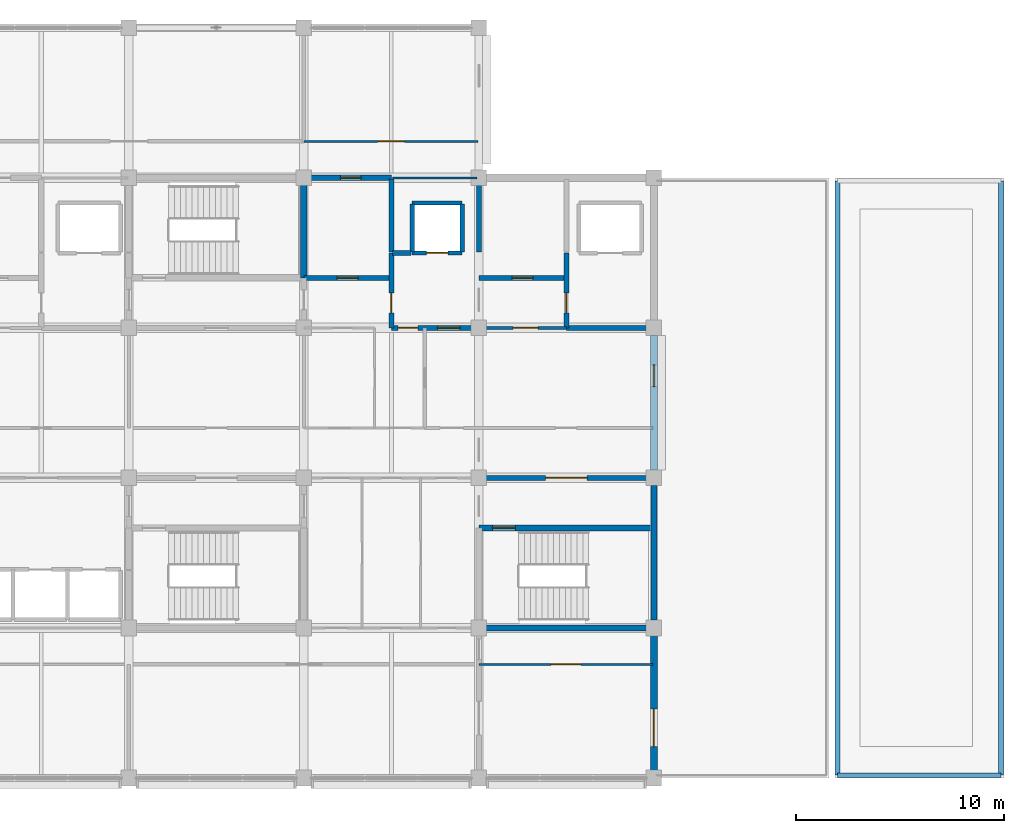
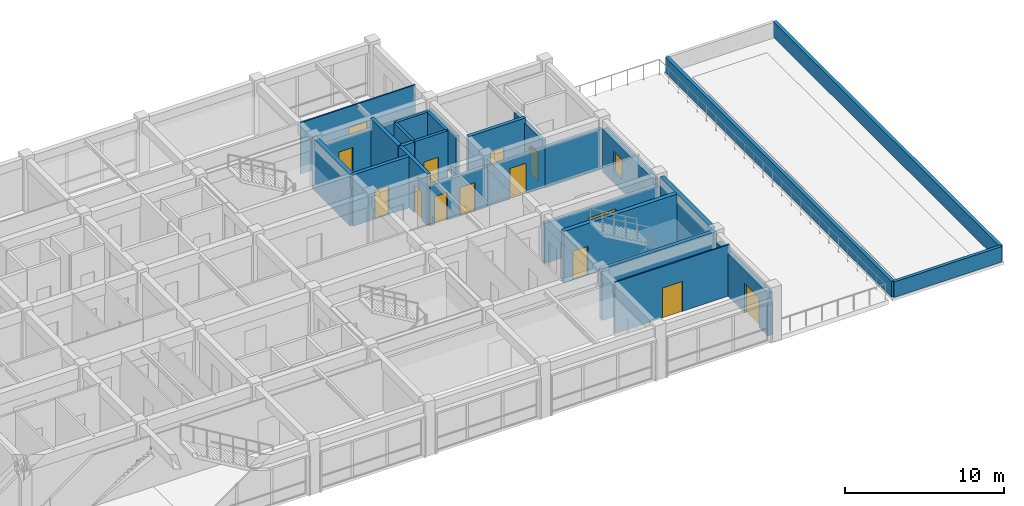
# One storey, part 22 of 27: 28 walls, 14 doors, 1 window, 15 openings.
"""IFC4 building model written with IfcOpenShell, lengths in metres."""

from ifc_helpers import new_model, si_unit, direction, frame, frame_2d, origin, place, context, subcontext, project, spatial, rectangle, extrude, material, layer, layer_set, type_object, element, fill, save


model = new_model("IFC4")

# Units and contexts
model_context = context("Model", 3, precision=1e-05, world=origin(), true_north=direction((0.0, 1.0)))
body_context = subcontext(model_context, "Body", "Model", "MODEL_VIEW")
ifc_project = project(units=[si_unit("LENGTHUNIT", "METRE"), si_unit("AREAUNIT", "SQUARE_METRE"), si_unit("VOLUMEUNIT", "CUBIC_METRE"), si_unit("PLANEANGLEUNIT", "RADIAN"), si_unit("MASSUNIT", "GRAM", prefix="KILO")], contexts=[model_context])

# Site, building, storey
site_placement = place(None, origin())
site = spatial("IfcSite", under=ifc_project, at=site_placement, CompositionType="ELEMENT")
building_placement = place(site_placement, origin())
building = spatial("IfcBuilding", under=site, at=building_placement, Name="Chengyuan Square Courthouse", CompositionType="ELEMENT")
storey_placement = place(building_placement, frame((0.0, 0.0, 35.10009765625)))
storey = spatial("IfcBuildingStorey", under=building, at=storey_placement, Name="L08", CompositionType="ELEMENT", Elevation=35.10009765625)

# Wall, opening, door
ifc_material_1 = material(Name="Concrete C40", Category="concrete")
ifc_layer_1 = layer(ifc_material_1, 0.35009765625)
ifc_layer_set_1 = layer_set([ifc_layer_1], Name="Concrete C40")
wall_type_1 = type_object("IfcWallType", Name="WL-EW2", PredefinedType="STANDARD", material=ifc_layer_set_1)
wall_1_placement = place(storey_placement, frame((126.0, 79.570068359375, 0.0), z_axis=(0.0, 0.0, 1.0), x_axis=(0.0, 1.0, 0.0)))
wall_1 = element("IfcWall", 1, at=wall_1_placement, inside=storey, type_object=wall_type_1, Name="Exterior Wall WL-L08-E407", PredefinedType="STANDARD", context=body_context, shape_type="SweptSolid", body=[
    extrude(rectangle(XDim=6.4599609375, YDim=0.35009765625, at=frame_2d((3.22998046875, 0.0))), origin(), (0.0, 0.0, 1.0), 3.2998046875),
])
opening_1_placement = place(wall_1_placement, frame((1.1298828125, 0.0, 0.0)))
opening_1 = element("IfcOpeningElement", 2, at=opening_1_placement, cuts=wall_1, Name="Opening DR-007", PredefinedType="OPENING", context=body_context, shape_type="SweptSolid", body=[
    extrude(rectangle(XDim=1.800048828125, YDim=2.25, at=frame_2d((0.89990234375, 1.125))), frame((0.0, 0.18701171875, 0.0), z_axis=(0.0, -1.0, 0.0), x_axis=(1.0, 0.0, 0.0)), (0.0, 0.0, 1.0), 0.3740234375),
])
ifc_material_2 = material(Name="Thermally Broken Aluminium Terrace Door", Category="aluminium")
door_type_1 = type_object("IfcDoorType", Name="DT-02", OperationType="DOUBLE_DOOR_SINGLE_SWING", PredefinedType="DOOR", material=ifc_material_2)
door_1_placement = place(opening_1_placement, frame((1.800048828125, 0.0, 0.0), z_axis=(0.0, 0.0, 1.0), x_axis=(-1.0, 0.0, 0.0)))
door_1 = element("IfcDoor", 3, at=door_1_placement, inside=storey, type_object=door_type_1, Name="Planted Terrace Access Door DR-007", OperationType="DOUBLE_DOOR_SINGLE_SWING", OverallHeight=2.25, OverallWidth=1.800048828125, PredefinedType="DOOR", context=body_context, shape_type="SweptSolid", body=[
    extrude(rectangle(XDim=1.800048828125, YDim=2.25, at=frame_2d((0.89990234375, 1.125))), frame((0.0, 0.02490234375, 0.0), z_axis=(0.0, -1.0, 0.0), x_axis=(1.0, 0.0, 0.0)), (0.0, 0.0, 1.0), 0.050048828125),
])
fill(opening_1, door_1)

# Wall, opening, window
wall_2_placement = place(storey_placement, frame((126.0, 93.969970703125, 0.0), z_axis=(0.0, 0.0, 1.0), x_axis=(0.0, 1.0, 0.0)))
wall_2 = element("IfcWall", 4, at=wall_2_placement, inside=storey, type_object=wall_type_1, Name="Exterior Wall WL-L08-E409", PredefinedType="STANDARD", context=body_context, shape_type="SweptSolid", body=[
    extrude(rectangle(XDim=6.4599609375, YDim=0.35009765625, at=frame_2d((3.22998046875, 0.0))), origin(), (0.0, 0.0, 1.0), 3.2998046875),
])
opening_2_placement = place(wall_2_placement, frame((4.0048828125, 0.0, 0.85009765625)))
opening_2 = element("IfcOpeningElement", 5, at=opening_2_placement, cuts=wall_2, Name="Opening WN-159", PredefinedType="OPENING", context=body_context, shape_type="SweptSolid", body=[
    extrude(rectangle(XDim=1.050048828125, YDim=1.56005859375, at=frame_2d((0.52490234375, 0.780029296875))), frame((0.0, 0.18701171875, 0.0), z_axis=(0.0, -1.0, 0.0), x_axis=(1.0, 0.0, 0.0)), (0.0, 0.0, 1.0), 0.3740234375),
])
ifc_material_3 = material(Name="Thermally Broken Aluminium Triple Low-E Window", Category="aluminium")
window_type = type_object("IfcWindowType", Name="WT-09", PartitioningType="SINGLE_PANEL", PredefinedType="WINDOW", material=ifc_material_3)
window_placement = place(opening_2_placement, origin())
window = element("IfcWindow", 6, at=window_placement, inside=storey, type_object=window_type, Name="Facade Window WN-159", OverallHeight=1.56005859375, OverallWidth=1.050048828125, PartitioningType="SINGLE_PANEL", PredefinedType="WINDOW", context=body_context, shape_type="SweptSolid", body=[
    extrude(rectangle(XDim=1.050048828125, YDim=1.56005859375, at=frame_2d((0.52490234375, 0.780029296875))), frame((0.0, 0.030029296875, 0.0), z_axis=(0.0, -1.0, 0.0), x_axis=(1.0, 0.0, 0.0)), (0.0, 0.0, 1.0), 0.06005859375),
])
fill(opening_2, window)

# Wall, opening, door
ifc_layer_2 = layer(ifc_material_1, 0.25)
ifc_layer_set_2 = layer_set([ifc_layer_2], Name="Concrete C40")
wall_type_2 = type_object("IfcWallType", Name="WL-FW1", PredefinedType="STANDARD", material=ifc_layer_set_2)
wall_3_placement = place(storey_placement, frame((117.60009765625, 93.60009765625, 0.0), z_axis=(0.0, 0.0, 1.0), x_axis=(1.0, 0.0, 0.0)))
wall_3 = element("IfcWall", 7, at=wall_3_placement, inside=storey, type_object=wall_type_2, Name="Interior Wall WL-L08-I2907", PredefinedType="STANDARD", context=body_context, shape_type="SweptSolid", body=[
    extrude(rectangle(XDim=8.35986328125, YDim=0.25, at=frame_2d((4.179931640625, 0.0))), origin(), (0.0, 0.0, 1.0), 3.099853515625),
])
opening_3_placement = place(wall_3_placement, frame((3.199951171875, 0.0, 0.0)))
opening_3 = element("IfcOpeningElement", 8, at=opening_3_placement, cuts=wall_3, Name="Opening DR-2515", PredefinedType="OPENING", context=body_context, shape_type="SweptSolid", body=[
    extrude(rectangle(XDim=2.0, YDim=2.39990234375, at=frame_2d((1.0, 1.199951171875))), frame((0.0, 0.136962890625, 0.0), z_axis=(0.0, -1.0, 0.0), x_axis=(1.0, 0.0, 0.0)), (0.0, 0.0, 1.0), 0.27392578125),
])
ifc_material_4 = material(Name="Steel Q235B Glazed Fire Door", Category="steel")
door_type_2 = type_object("IfcDoorType", Name="DT-20", OperationType="DOUBLE_DOOR_SINGLE_SWING", PredefinedType="DOOR", material=ifc_material_4)
door_2_placement = place(opening_3_placement, frame((2.0, 0.0, 0.0), z_axis=(0.0, 0.0, 1.0), x_axis=(-1.0, 0.0, 0.0)))
door_2 = element("IfcDoor", 9, at=door_2_placement, inside=storey, type_object=door_type_2, Name="Interior Door DR-2515", OperationType="DOUBLE_DOOR_SINGLE_SWING", OverallHeight=2.39990234375, OverallWidth=2.0, PredefinedType="DOOR", context=body_context, shape_type="SweptSolid", body=[
    extrude(rectangle(XDim=2.0, YDim=2.39990234375, at=frame_2d((1.0, 1.199951171875))), frame((0.0, 0.02490234375, 0.0), z_axis=(0.0, -1.0, 0.0), x_axis=(1.0, 0.0, 0.0)), (0.0, 0.0, 1.0), 0.050048828125),
])
fill(opening_3, door_2)

# Wall, openings, doors
wall_4_placement = place(storey_placement, frame((113.39990234375, 100.800048828125, 0.0), z_axis=(0.0, 0.0, 1.0), x_axis=(1.0, 0.0, 0.0)))
wall_4 = element("IfcWall", 10, at=wall_4_placement, inside=storey, type_object=wall_type_2, Name="Interior Wall WL-L08-I2926", PredefinedType="STANDARD", context=body_context, shape_type="SweptSolid", body=[
    extrude(rectangle(XDim=4.2001953125, YDim=0.25, at=frame_2d((2.10009765625, 0.0))), origin(), (0.0, 0.0, 1.0), 3.099853515625),
])
opening_4_placement = place(wall_4_placement, frame((0.324951171875, 0.0, 0.0)))
opening_4 = element("IfcOpeningElement", 11, at=opening_4_placement, cuts=wall_4, Name="Opening DR-2556", PredefinedType="OPENING", context=body_context, shape_type="SweptSolid", body=[
    extrude(rectangle(XDim=0.949951171875, YDim=2.14990234375, at=frame_2d((0.47509765625, 1.074951171875))), frame((0.0, 0.136962890625, 0.0), z_axis=(0.0, -1.0, 0.0), x_axis=(1.0, 0.0, 0.0)), (0.0, 0.0, 1.0), 0.27392578125),
])
opening_5_placement = place(wall_4_placement, frame((2.202392578125, 0.0, 0.0)))
opening_5 = element("IfcOpeningElement", 12, at=opening_5_placement, cuts=wall_4, Name="Opening DR-2557", PredefinedType="OPENING", context=body_context, shape_type="SweptSolid", body=[
    extrude(rectangle(XDim=1.10009765625, YDim=2.199951171875, at=frame_2d((0.550048828125, 1.10009765625))), frame((0.0, 0.136962890625, 0.0), z_axis=(0.0, -1.0, 0.0), x_axis=(1.0, 0.0, 0.0)), (0.0, 0.0, 1.0), 0.27392578125),
])
ifc_material_5 = material(Name="Steel Q235B Fire Door", Category="steel")
door_type_3 = type_object("IfcDoorType", Name="DT-10", OperationType="NOTDEFINED", PredefinedType="DOOR", material=ifc_material_5)
door_3_placement = place(opening_5_placement, origin())
door_3 = element("IfcDoor", 13, at=door_3_placement, inside=storey, type_object=door_type_3, Name="Interior Door DR-2557", OperationType="SINGLE_SWING_RIGHT", OverallHeight=2.199951171875, OverallWidth=1.10009765625, PredefinedType="DOOR", context=body_context, shape_type="SweptSolid", body=[
    extrude(rectangle(XDim=1.10009765625, YDim=2.199951171875, at=frame_2d((0.550048828125, 1.10009765625))), frame((0.0, 0.02490234375, 0.0), z_axis=(0.0, -1.0, 0.0), x_axis=(1.0, 0.0, 0.0)), (0.0, 0.0, 1.0), 0.050048828125),
])
fill(opening_5, door_3)
door_type_4 = type_object("IfcDoorType", Name="DT-12", OperationType="NOTDEFINED", PredefinedType="DOOR", material=ifc_material_5)
door_4_placement = place(opening_4_placement, origin())
door_4 = element("IfcDoor", 14, at=door_4_placement, inside=storey, type_object=door_type_4, Name="Interior Door DR-2556", OperationType="SINGLE_SWING_LEFT", OverallHeight=2.14990234375, OverallWidth=0.949951171875, PredefinedType="DOOR", context=body_context, shape_type="SweptSolid", body=[
    extrude(rectangle(XDim=0.949951171875, YDim=2.14990234375, at=frame_2d((0.47509765625, 1.074951171875))), frame((0.0, 0.02490234375, 0.0), z_axis=(0.0, -1.0, 0.0), x_axis=(1.0, 0.0, 0.0)), (0.0, 0.0, 1.0), 0.050048828125),
])
fill(opening_4, door_4)

# Wall
wall_5_placement = place(storey_placement, frame((121.800048828125, 100.800048828125, 0.0), z_axis=(0.0, 0.0, 1.0), x_axis=(1.0, 0.0, 0.0)))
element("IfcWall", 15, at=wall_5_placement, inside=storey, type_object=wall_type_2, Name="Interior Wall WL-L08-I2928", PredefinedType="STANDARD", context=body_context, shape_type="SweptSolid", body=[
    extrude(rectangle(XDim=4.159912109375, YDim=0.25, at=frame_2d((2.080078125, 0.0))), origin(), (0.0, 0.0, 1.0), 3.099853515625),
])

# Wall, opening, door
wall_6_placement = place(storey_placement, frame((109.199951171875, 103.199951171875, 0.0), z_axis=(0.0, 0.0, 1.0), x_axis=(1.0, 0.0, 0.0)))
wall_6 = element("IfcWall", 16, at=wall_6_placement, inside=storey, type_object=wall_type_2, Name="Interior Wall WL-L08-I2935", PredefinedType="STANDARD", context=body_context, shape_type="SweptSolid", body=[
    extrude(rectangle(XDim=4.199951171875, YDim=0.25, at=frame_2d((2.10009765625, 0.0))), origin(), (0.0, 0.0, 1.0), 3.949951171875),
])
opening_6_placement = place(wall_6_placement, frame((1.60009765625, 0.0, 0.0)))
opening_6 = element("IfcOpeningElement", 17, at=opening_6_placement, cuts=wall_6, Name="Opening DR-2552", PredefinedType="OPENING", context=body_context, shape_type="SweptSolid", body=[
    extrude(rectangle(XDim=1.0, YDim=2.199951171875, at=frame_2d((0.5, 1.10009765625))), frame((0.0, 0.136962890625, 0.0), z_axis=(0.0, -1.0, 0.0), x_axis=(1.0, 0.0, 0.0)), (0.0, 0.0, 1.0), 0.27392578125),
])
door_type_5 = type_object("IfcDoorType", Name="DT-11", OperationType="NOTDEFINED", PredefinedType="DOOR", material=ifc_material_5)
door_5_placement = place(opening_6_placement, origin())
door_5 = element("IfcDoor", 18, at=door_5_placement, inside=storey, type_object=door_type_5, Name="Interior Door DR-2552", OperationType="SINGLE_SWING_LEFT", OverallHeight=2.199951171875, OverallWidth=1.0, PredefinedType="DOOR", context=body_context, shape_type="SweptSolid", body=[
    extrude(rectangle(XDim=1.0, YDim=2.199951171875, at=frame_2d((0.5, 1.10009765625))), frame((0.0, 0.02490234375, 0.0), z_axis=(0.0, -1.0, 0.0), x_axis=(1.0, 0.0, 0.0)), (0.0, 0.0, 1.0), 0.050048828125),
])
fill(opening_6, door_5)

wall_7_placement = place(storey_placement, frame((117.60009765625, 103.199951171875, 0.0), z_axis=(0.0, 0.0, 1.0), x_axis=(1.0, 0.0, 0.0)))
wall_7 = element("IfcWall", 19, at=wall_7_placement, inside=storey, type_object=wall_type_2, Name="Interior Wall WL-L08-I2936", PredefinedType="STANDARD", context=body_context, shape_type="SweptSolid", body=[
    extrude(rectangle(XDim=4.199951171875, YDim=0.25, at=frame_2d((2.10009765625, 0.0))), origin(), (0.0, 0.0, 1.0), 3.949951171875),
])
opening_7_placement = place(wall_7_placement, frame((1.60009765625, 0.0, 0.0)))
opening_7 = element("IfcOpeningElement", 20, at=opening_7_placement, cuts=wall_7, Name="Opening DR-2531", PredefinedType="OPENING", context=body_context, shape_type="SweptSolid", body=[
    extrude(rectangle(XDim=1.0, YDim=2.199951171875, at=frame_2d((0.5, 1.10009765625))), frame((0.0, 0.136962890625, 0.0), z_axis=(0.0, -1.0, 0.0), x_axis=(1.0, 0.0, 0.0)), (0.0, 0.0, 1.0), 0.27392578125),
])
door_6_placement = place(opening_7_placement, origin())
door_6 = element("IfcDoor", 21, at=door_6_placement, inside=storey, type_object=door_type_5, Name="Interior Door DR-2531", OperationType="SINGLE_SWING_LEFT", OverallHeight=2.199951171875, OverallWidth=1.0, PredefinedType="DOOR", context=body_context, shape_type="SweptSolid", body=[
    extrude(rectangle(XDim=1.0, YDim=2.199951171875, at=frame_2d((0.5, 1.10009765625))), frame((0.0, 0.02490234375, 0.0), z_axis=(0.0, -1.0, 0.0), x_axis=(1.0, 0.0, 0.0)), (0.0, 0.0, 1.0), 0.050048828125),
])
fill(opening_7, door_6)

# Wall
wall_8_placement = place(storey_placement, frame((113.449951171875, 104.39990234375, 0.0), z_axis=(0.0, 0.0, 1.0), x_axis=(1.0, 0.0, 0.0)))
element("IfcWall", 22, at=wall_8_placement, inside=storey, type_object=wall_type_2, Name="Interior Wall WL-L08-I2947", PredefinedType="STANDARD", context=body_context, shape_type="SweptSolid", body=[
    extrude(rectangle(XDim=0.900146484375, YDim=0.25, at=frame_2d((0.4501953125, 0.0))), origin(), (0.0, 0.0, 1.0), 3.949951171875),
])

# Wall, opening, door
wall_9_placement = place(storey_placement, frame((109.199951171875, 108.0, 0.0), z_axis=(0.0, 0.0, 1.0), x_axis=(1.0, 0.0, 0.0)))
wall_9 = element("IfcWall", 23, at=wall_9_placement, inside=storey, type_object=wall_type_2, Name="Interior Wall WL-L08-I2971", PredefinedType="STANDARD", context=body_context, shape_type="SweptSolid", body=[
    extrude(rectangle(XDim=4.199951171875, YDim=0.25, at=frame_2d((2.10009765625, 0.0))), origin(), (0.0, 0.0, 1.0), 3.099853515625),
])
opening_8_placement = place(wall_9_placement, frame((1.74755859375, 0.0, 0.0)))
opening_8 = element("IfcOpeningElement", 24, at=opening_8_placement, cuts=wall_9, Name="Opening DR-2555", PredefinedType="OPENING", context=body_context, shape_type="SweptSolid", body=[
    extrude(rectangle(XDim=1.0, YDim=2.199951171875, at=frame_2d((0.5, 1.10009765625))), frame((0.0, 0.136962890625, 0.0), z_axis=(0.0, -1.0, 0.0), x_axis=(1.0, 0.0, 0.0)), (0.0, 0.0, 1.0), 0.27392578125),
])
door_7_placement = place(opening_8_placement, origin())
door_7 = element("IfcDoor", 25, at=door_7_placement, inside=storey, type_object=door_type_5, Name="Interior Door DR-2555", OperationType="SINGLE_SWING_RIGHT", OverallHeight=2.199951171875, OverallWidth=1.0, PredefinedType="DOOR", context=body_context, shape_type="SweptSolid", body=[
    extrude(rectangle(XDim=1.0, YDim=2.199951171875, at=frame_2d((0.5, 1.10009765625))), frame((0.0, 0.02490234375, 0.0), z_axis=(0.0, -1.0, 0.0), x_axis=(1.0, 0.0, 0.0)), (0.0, 0.0, 1.0), 0.050048828125),
])
fill(opening_8, door_7)

wall_10_placement = place(storey_placement, frame((113.39990234375, 100.800048828125, 0.0), z_axis=(0.0, 0.0, 1.0), x_axis=(0.0, 1.0, 0.0)))
wall_10 = element("IfcWall", 26, at=wall_10_placement, inside=storey, type_object=wall_type_2, Name="Interior Wall WL-L08-I3070", PredefinedType="STANDARD", context=body_context, shape_type="SweptSolid", body=[
    extrude(rectangle(XDim=3.599853515625, YDim=0.25, at=frame_2d((1.7998046875, 0.0))), origin(), (0.0, 0.0, 1.0), 3.949951171875),
])
opening_9_placement = place(wall_10_placement, frame((0.72509765625, 0.0, 0.0)))
opening_9 = element("IfcOpeningElement", 27, at=opening_9_placement, cuts=wall_10, Name="Opening DR-2553", PredefinedType="OPENING", context=body_context, shape_type="SweptSolid", body=[
    extrude(rectangle(XDim=0.949951171875, YDim=2.14990234375, at=frame_2d((0.47509765625, 1.074951171875))), frame((0.0, 0.136962890625, 0.0), z_axis=(0.0, -1.0, 0.0), x_axis=(1.0, 0.0, 0.0)), (0.0, 0.0, 1.0), 0.27392578125),
])
door_8_placement = place(opening_9_placement, origin())
door_8 = element("IfcDoor", 28, at=door_8_placement, inside=storey, type_object=door_type_4, Name="Interior Door DR-2553", OperationType="SINGLE_SWING_RIGHT", OverallHeight=2.14990234375, OverallWidth=0.949951171875, PredefinedType="DOOR", context=body_context, shape_type="SweptSolid", body=[
    extrude(rectangle(XDim=0.949951171875, YDim=2.14990234375, at=frame_2d((0.47509765625, 1.074951171875))), frame((0.0, 0.02490234375, 0.0), z_axis=(0.0, -1.0, 0.0), x_axis=(1.0, 0.0, 0.0)), (0.0, 0.0, 1.0), 0.050048828125),
])
fill(opening_9, door_8)

# Walls
wall_11_placement = place(storey_placement, frame((113.39990234375, 104.449951171875, 0.0), z_axis=(0.0, 0.0, 1.0), x_axis=(0.0, 1.0, 0.0)))
element("IfcWall", 29, at=wall_11_placement, inside=storey, type_object=wall_type_2, Name="Interior Wall WL-L08-I3071", PredefinedType="STANDARD", context=body_context, shape_type="SweptSolid", body=[
    extrude(rectangle(XDim=3.5, YDim=0.25, at=frame_2d((1.75, 0.0))), origin(), (0.0, 0.0, 1.0), 3.949951171875),
])
wall_12_placement = place(storey_placement, frame((117.60009765625, 104.449951171875, 0.0), z_axis=(0.0, 0.0, 1.0), x_axis=(0.0, 1.0, 0.0)))
element("IfcWall", 30, at=wall_12_placement, inside=storey, type_object=wall_type_2, Name="Interior Wall WL-L08-I3079", PredefinedType="STANDARD", context=body_context, shape_type="SweptSolid", body=[
    extrude(rectangle(XDim=3.4599609375, YDim=0.25, at=frame_2d((1.72998046875, 0.0))), origin(), (0.0, 0.0, 1.0), 3.199951171875),
])

# Wall, opening, door
wall_13_placement = place(storey_placement, frame((121.800048828125, 100.800048828125, 0.0), z_axis=(0.0, 0.0, 1.0), x_axis=(0.0, 1.0, 0.0)))
wall_13 = element("IfcWall", 31, at=wall_13_placement, inside=storey, type_object=wall_type_2, Name="Interior Wall WL-L08-I3080", PredefinedType="STANDARD", context=body_context, shape_type="SweptSolid", body=[
    extrude(rectangle(XDim=3.599853515625, YDim=0.25, at=frame_2d((1.7998046875, 0.0))), origin(), (0.0, 0.0, 1.0), 3.599853515625),
])
opening_10_placement = place(wall_13_placement, frame((0.72509765625, 0.0, 0.0)))
opening_10 = element("IfcOpeningElement", 32, at=opening_10_placement, cuts=wall_13, Name="Opening DR-2532", PredefinedType="OPENING", context=body_context, shape_type="SweptSolid", body=[
    extrude(rectangle(XDim=0.949951171875, YDim=2.14990234375, at=frame_2d((0.47509765625, 1.074951171875))), frame((0.0, 0.136962890625, 0.0), z_axis=(0.0, -1.0, 0.0), x_axis=(1.0, 0.0, 0.0)), (0.0, 0.0, 1.0), 0.27392578125),
])
door_9_placement = place(opening_10_placement, origin())
door_9 = element("IfcDoor", 33, at=door_9_placement, inside=storey, type_object=door_type_4, Name="Interior Door DR-2532", OperationType="SINGLE_SWING_RIGHT", OverallHeight=2.14990234375, OverallWidth=0.949951171875, PredefinedType="DOOR", context=body_context, shape_type="SweptSolid", body=[
    extrude(rectangle(XDim=0.949951171875, YDim=2.14990234375, at=frame_2d((0.47509765625, 1.074951171875))), frame((0.0, 0.02490234375, 0.0), z_axis=(0.0, -1.0, 0.0), x_axis=(1.0, 0.0, 0.0)), (0.0, 0.0, 1.0), 0.050048828125),
])
fill(opening_10, door_9)

# Walls
ifc_layer_3 = layer(ifc_material_1, 0.219970703125)
ifc_layer_set_3 = layer_set([ifc_layer_3], Name="Concrete C40")
wall_type_3 = type_object("IfcWallType", Name="WL-PR1", PredefinedType="PARAPET", material=ifc_layer_set_3)
wall_14_placement = place(storey_placement, frame((134.820068359375, 79.340087890625, 0.0), z_axis=(0.0, 0.0, 1.0), x_axis=(1.0, 0.0, 0.0)))
element("IfcWall", 34, at=wall_14_placement, inside=storey, type_object=wall_type_3, Name="Roof Parapet Wall PAR-L08-027", PredefinedType="PARAPET", context=body_context, shape_type="SweptSolid", body=[
    extrude(rectangle(XDim=7.83984375, YDim=0.219970703125, at=frame_2d((3.919921875, 0.0))), origin(), (0.0, 0.0, 1.0), 1.199951171875),
])
ifc_layer_4 = layer(ifc_material_1, 0.239990234375)
ifc_layer_set_4 = layer_set([ifc_layer_4], Name="Concrete C40")
wall_type_4 = type_object("IfcWallType", Name="WL-PR2", PredefinedType="PARAPET", material=ifc_layer_set_4)
for number, where, z_axis, x_axis, name in (
    (35, (142.659912109375, 79.340087890625, 0.0), (0.0, 0.0, 1.0), (0.0, 1.0, 0.0), "Roof Parapet Wall PAR-L08-028"),
    (36, (134.820068359375, 107.860107421875, 0.0), (0.0, 0.0, 1.0), (0.0, -1.0, 0.0), "Roof Parapet Wall PAR-L08-030"),
):
    element("IfcWall", number, at=place(storey_placement, frame(where, z_axis=z_axis, x_axis=x_axis)), inside=storey, type_object=wall_type_4, Name=name, PredefinedType="PARAPET", context=body_context, shape_type="SweptSolid", body=[
        extrude(rectangle(XDim=28.52001953125, YDim=0.239990234375, at=frame_2d((14.260009765625, 0.0))), origin(), (0.0, 0.0, 1.0), 1.199951171875),
    ])

# Wall, opening, door
ifc_material_6 = material(Name="Deliberation Room Sound-Insulated Partition")
ifc_layer_5 = layer(ifc_material_6, 0.14990234375)
ifc_layer_set_5 = layer_set([ifc_layer_5], Name="Deliberation Room Sound-Insulated Partition")
wall_type_5 = type_object("IfcWallType", Name="WL-PT3", PredefinedType="STANDARD", material=ifc_layer_set_5)
wall_15_placement = place(storey_placement, frame((117.60009765625, 100.800048828125, 0.0), z_axis=(0.0, 0.0, 1.0), x_axis=(1.0, 0.0, 0.0)))
wall_15 = element("IfcWall", 37, at=wall_15_placement, inside=storey, type_object=wall_type_5, Name="Interior Wall WL-L08-I2927", PredefinedType="STANDARD", context=body_context, shape_type="SweptSolid", body=[
    extrude(rectangle(XDim=4.199951171875, YDim=0.14990234375, at=frame_2d((2.10009765625, 0.0))), origin(), (0.0, 0.0, 1.0), 3.099853515625),
])
opening_11_placement = place(wall_15_placement, frame((1.6474609375, 0.0, 0.0)))
opening_11 = element("IfcOpeningElement", 38, at=opening_11_placement, cuts=wall_15, Name="Opening DR-2534", PredefinedType="OPENING", context=body_context, shape_type="SweptSolid", body=[
    extrude(rectangle(XDim=1.199951171875, YDim=2.35009765625, at=frame_2d((0.60009765625, 1.175048828125))), frame((0.0, 0.0869140625, 0.0), z_axis=(0.0, -1.0, 0.0), x_axis=(1.0, 0.0, 0.0)), (0.0, 0.0, 1.0), 0.173828125),
])
ifc_material_7 = material(Name="Acoustic Solid-Core Timber Door", Category="wood")
door_type_6 = type_object("IfcDoorType", Name="DT-36", OperationType="NOTDEFINED", PredefinedType="DOOR", material=ifc_material_7)
door_10_placement = place(opening_11_placement, origin())
door_10 = element("IfcDoor", 39, at=door_10_placement, inside=storey, type_object=door_type_6, Name="Interior Door DR-2534", OperationType="SINGLE_SWING_RIGHT", OverallHeight=2.35009765625, OverallWidth=1.199951171875, PredefinedType="DOOR", context=body_context, shape_type="SweptSolid", body=[
    extrude(rectangle(XDim=1.199951171875, YDim=2.35009765625, at=frame_2d((0.60009765625, 1.175048828125))), frame((0.0, 0.02490234375, 0.0), z_axis=(0.0, -1.0, 0.0), x_axis=(1.0, 0.0, 0.0)), (0.0, 0.0, 1.0), 0.050048828125),
])
fill(opening_11, door_10)

ifc_material_8 = material(Name="Gypsum Plasterboard Acoustic Stud Partition")
ifc_layer_6 = layer(ifc_material_8, 0.10009765625)
ifc_layer_set_6 = layer_set([ifc_layer_6], Name="Gypsum Plasterboard Acoustic Stud Partition")
wall_type_6 = type_object("IfcWallType", Name="WL-PT6", PredefinedType="STANDARD", material=ifc_layer_set_6)
wall_16_placement = place(storey_placement, frame((117.60009765625, 84.64990234375, 0.0), z_axis=(0.0, 0.0, 1.0), x_axis=(1.0, 0.0, 0.0)))
wall_16 = element("IfcWall", 40, at=wall_16_placement, inside=storey, type_object=wall_type_6, Name="Interior Wall WL-L08-I2877", PredefinedType="STANDARD", context=body_context, shape_type="SweptSolid", body=[
    extrude(rectangle(XDim=8.35986328125, YDim=0.10009765625, at=frame_2d((4.179931640625, 0.0))), origin(), (0.0, 0.0, 1.0), 3.949951171875),
])
opening_12_placement = place(wall_16_placement, frame((3.455078125, 0.0, 0.0)))
opening_12 = element("IfcOpeningElement", 41, at=opening_12_placement, cuts=wall_16, Name="Opening DR-2630", PredefinedType="OPENING", context=body_context, shape_type="SweptSolid", body=[
    extrude(rectangle(XDim=1.449951171875, YDim=2.300048828125, at=frame_2d((0.72509765625, 1.14990234375))), frame((0.0, 0.06201171875, 0.0), z_axis=(0.0, -1.0, 0.0), x_axis=(1.0, 0.0, 0.0)), (0.0, 0.0, 1.0), 0.1240234375),
])
ifc_material_9 = material(Name="Acoustic Larch Veneer Double Door")
door_type_7 = type_object("IfcDoorType", Name="DT-25", OperationType="DOUBLE_DOOR_SINGLE_SWING", PredefinedType="DOOR", material=ifc_material_9)
door_11_placement = place(opening_12_placement, frame((1.449951171875, 0.0, 0.0), z_axis=(0.0, 0.0, 1.0), x_axis=(-1.0, 0.0, 0.0)))
door_11 = element("IfcDoor", 42, at=door_11_placement, inside=storey, type_object=door_type_7, Name="Interior Door DR-2630", OperationType="DOUBLE_DOOR_SINGLE_SWING", OverallHeight=2.300048828125, OverallWidth=1.449951171875, PredefinedType="DOOR", context=body_context, shape_type="SweptSolid", body=[
    extrude(rectangle(XDim=1.449951171875, YDim=2.300048828125, at=frame_2d((0.72509765625, 1.14990234375))), frame((0.0, 0.02490234375, 0.0), z_axis=(0.0, -1.0, 0.0), x_axis=(1.0, 0.0, 0.0)), (0.0, 0.0, 1.0), 0.050048828125),
])
fill(opening_12, door_11)

# Wall
wall_17_placement = place(storey_placement, frame((113.449951171875, 108.0, 0.0), z_axis=(0.0, 0.0, 1.0), x_axis=(1.0, 0.0, 0.0)))
element("IfcWall", 43, at=wall_17_placement, inside=storey, type_object=wall_type_6, Name="Interior Wall WL-L08-I2972", PredefinedType="STANDARD", context=body_context, shape_type="SweptSolid", body=[
    extrude(rectangle(XDim=4.06005859375, YDim=0.10009765625, at=frame_2d((2.030029296875, 0.0))), origin(), (0.0, 0.0, 1.0), 3.099853515625),
])

# Wall, opening, door
wall_18_placement = place(storey_placement, frame((109.199951171875, 109.75, 0.0), z_axis=(0.0, 0.0, 1.0), x_axis=(1.0, 0.0, 0.0)))
wall_18 = element("IfcWall", 44, at=wall_18_placement, inside=storey, type_object=wall_type_6, Name="Interior Wall WL-L08-I2977", PredefinedType="STANDARD", context=body_context, shape_type="SweptSolid", body=[
    extrude(rectangle(XDim=8.360107421875, YDim=0.10009765625, at=frame_2d((4.18017578125, 0.0))), origin(), (0.0, 0.0, 1.0), 3.949951171875),
])
opening_13_placement = place(wall_18_placement, frame((3.5400390625, 0.0, 0.0)))
opening_13 = element("IfcOpeningElement", 45, at=opening_13_placement, cuts=wall_18, Name="Opening DR-2621", PredefinedType="OPENING", context=body_context, shape_type="SweptSolid", body=[
    extrude(rectangle(XDim=1.280029296875, YDim=2.35009765625, at=frame_2d((0.64013671875, 1.175048828125))), frame((0.0, 0.06201171875, 0.0), z_axis=(0.0, -1.0, 0.0), x_axis=(1.0, 0.0, 0.0)), (0.0, 0.0, 1.0), 0.1240234375),
])
door_type_8 = type_object("IfcDoorType", Name="DT-38", OperationType="NOTDEFINED", PredefinedType="DOOR", material=ifc_material_7)
door_12_placement = place(opening_13_placement, origin())
door_12 = element("IfcDoor", 46, at=door_12_placement, inside=storey, type_object=door_type_8, Name="Interior Door DR-2621", OperationType="SINGLE_SWING_RIGHT", OverallHeight=2.35009765625, OverallWidth=1.280029296875, PredefinedType="DOOR", context=body_context, shape_type="SweptSolid", body=[
    extrude(rectangle(XDim=1.280029296875, YDim=2.35009765625, at=frame_2d((0.64013671875, 1.175048828125))), frame((0.0, 0.02490234375, 0.0), z_axis=(0.0, -1.0, 0.0), x_axis=(1.0, 0.0, 0.0)), (0.0, 0.0, 1.0), 0.050048828125),
])
fill(opening_13, door_12)

ifc_material_10 = material(Name="Reinforced Masonry Shaft Enclosure", Category="masonry")
ifc_layer_7 = layer(ifc_material_10, 0.199951171875)
ifc_layer_set_7 = layer_set([ifc_layer_7], Name="Reinforced Masonry Shaft Enclosure")
wall_type_7 = type_object("IfcWallType", Name="WL-SH1", PredefinedType="STANDARD", material=ifc_layer_set_7)
wall_19_placement = place(storey_placement, frame((114.39990234375, 104.39990234375, 0.0), z_axis=(0.0, 0.0, 1.0), x_axis=(1.0, 0.0, 0.0)))
wall_19 = element("IfcWall", 47, at=wall_19_placement, inside=storey, type_object=wall_type_7, Name="Interior Wall WL-L08-I2948", PredefinedType="STANDARD", context=body_context, shape_type="SweptSolid", body=[
    extrude(rectangle(XDim=2.400146484375, YDim=0.199951171875, at=frame_2d((1.2001953125, 0.0))), origin(), (0.0, 0.0, 1.0), 3.949951171875),
])
opening_14_placement = place(wall_19_placement, frame((0.675048828125, 0.0, 0.0)))
opening_14 = element("IfcOpeningElement", 48, at=opening_14_placement, cuts=wall_19, Name="Opening LD-148", PredefinedType="OPENING", context=body_context, shape_type="SweptSolid", body=[
    extrude(rectangle(XDim=1.050048828125, YDim=2.14990234375, at=frame_2d((0.52490234375, 1.074951171875))), frame((0.0, 0.112060546875, 0.0), z_axis=(0.0, -1.0, 0.0), x_axis=(1.0, 0.0, 0.0)), (0.0, 0.0, 1.0), 0.223876953125),
])
ifc_material_11 = material(Name="Stainless Steel S30408 Lift Landing Door", Category="steel")
door_type_9 = type_object("IfcDoorType", Name="DT-08", OperationType="DOUBLE_DOOR_SLIDING", PredefinedType="DOOR", material=ifc_material_11)
door_13_placement = place(opening_14_placement, origin())
door_13 = element("IfcDoor", 49, at=door_13_placement, inside=storey, type_object=door_type_9, Name="Lift Landing Door LF-C2 L08", OperationType="DOUBLE_DOOR_SLIDING", OverallHeight=2.14990234375, OverallWidth=1.050048828125, PredefinedType="DOOR", context=body_context, shape_type="SweptSolid", body=[
    extrude(rectangle(XDim=1.050048828125, YDim=2.14990234375, at=frame_2d((0.52490234375, 1.074951171875))), frame((0.0, 0.02490234375, 0.0), z_axis=(0.0, -1.0, 0.0), x_axis=(1.0, 0.0, 0.0)), (0.0, 0.0, 1.0), 0.050048828125),
])
fill(opening_14, door_13)

# Walls
wall_20_placement = place(storey_placement, frame((114.39990234375, 106.800048828125, 0.0), z_axis=(0.0, 0.0, 1.0), x_axis=(1.0, 0.0, 0.0)))
element("IfcWall", 50, at=wall_20_placement, inside=storey, type_object=wall_type_7, Name="Interior Wall WL-L08-I2958", PredefinedType="STANDARD", context=body_context, shape_type="SweptSolid", body=[
    extrude(rectangle(XDim=2.400146484375, YDim=0.199951171875, at=frame_2d((1.2001953125, 0.0))), origin(), (0.0, 0.0, 1.0), 3.949951171875),
])
for number, where, z_axis, x_axis, name in (
    (51, (114.39990234375, 104.449951171875, 0.0), (0.0, 0.0, 1.0), (0.0, 1.0, 0.0), "Interior Wall WL-L08-I3072"),
    (52, (116.800048828125, 104.449951171875, 0.0), (0.0, 0.0, 1.0), (0.0, 1.0, 0.0), "Interior Wall WL-L08-I3075"),
):
    element("IfcWall", number, at=place(storey_placement, frame(where, z_axis=z_axis, x_axis=x_axis)), inside=storey, type_object=wall_type_7, Name=name, PredefinedType="STANDARD", context=body_context, shape_type="SweptSolid", body=[
        extrude(rectangle(XDim=2.300048828125, YDim=0.199951171875, at=frame_2d((1.14990234375, 0.0))), origin(), (0.0, 0.0, 1.0), 3.949951171875),
    ])
ifc_layer_8 = layer(ifc_material_1, 0.300048828125)
ifc_layer_set_8 = layer_set([ifc_layer_8], Name="Concrete C40")
wall_type_8 = type_object("IfcWallType", Name="WL-SW2", PredefinedType="SHEAR", material=ifc_layer_set_8)
wall_21_placement = place(storey_placement, frame((126.0, 86.77001953125, 0.0), z_axis=(0.0, 0.0, 1.0), x_axis=(0.0, 1.0, 0.0)))
element("IfcWall", 53, at=wall_21_placement, inside=storey, type_object=wall_type_8, Name="Exterior Wall WL-L08-E408", PredefinedType="SHEAR", context=body_context, shape_type="SweptSolid", body=[
    extrude(rectangle(XDim=6.4599609375, YDim=0.300048828125, at=frame_2d((3.22998046875, 0.0))), origin(), (0.0, 0.0, 1.0), 3.949951171875),
])
wall_22_placement = place(storey_placement, frame((117.60009765625, 86.39990234375, 0.0), z_axis=(0.0, 0.0, 1.0), x_axis=(1.0, 0.0, 0.0)))
element("IfcWall", 54, at=wall_22_placement, inside=storey, type_object=wall_type_8, Name="Interior Wall WL-L08-I2887", PredefinedType="SHEAR", context=body_context, shape_type="SweptSolid", body=[
    extrude(rectangle(XDim=8.35986328125, YDim=0.300048828125, at=frame_2d((4.179931640625, 0.0))), origin(), (0.0, 0.0, 1.0), 3.949951171875),
])

# Wall, opening, door
wall_23_placement = place(storey_placement, frame((117.60009765625, 91.199951171875, 0.0), z_axis=(0.0, 0.0, 1.0), x_axis=(1.0, 0.0, 0.0)))
wall_23 = element("IfcWall", 55, at=wall_23_placement, inside=storey, type_object=wall_type_8, Name="Interior Wall WL-L08-I2900", PredefinedType="SHEAR", context=body_context, shape_type="SweptSolid", body=[
    extrude(rectangle(XDim=8.35986328125, YDim=0.300048828125, at=frame_2d((4.179931640625, 0.0))), origin(), (0.0, 0.0, 1.0), 3.949951171875),
])
opening_15_placement = place(wall_23_placement, frame((0.64990234375, 0.0, 0.0)))
opening_15 = element("IfcOpeningElement", 56, at=opening_15_placement, cuts=wall_23, Name="Opening DR-2500", PredefinedType="OPENING", context=body_context, shape_type="SweptSolid", body=[
    extrude(rectangle(XDim=1.10009765625, YDim=2.199951171875, at=frame_2d((0.550048828125, 1.10009765625))), frame((0.0, 0.162109375, 0.0), z_axis=(0.0, -1.0, 0.0), x_axis=(1.0, 0.0, 0.0)), (0.0, 0.0, 1.0), 0.323974609375),
])
door_14_placement = place(opening_15_placement, frame((1.10009765625, 0.0, 0.0), z_axis=(0.0, 0.0, 1.0), x_axis=(-1.0, 0.0, 0.0)))
door_14 = element("IfcDoor", 57, at=door_14_placement, inside=storey, type_object=door_type_3, Name="Smoke-Proof Stairwell Fire Door ST-6 DR-2500", OperationType="SINGLE_SWING_RIGHT", OverallHeight=2.199951171875, OverallWidth=1.10009765625, PredefinedType="DOOR", context=body_context, shape_type="SweptSolid", body=[
    extrude(rectangle(XDim=1.10009765625, YDim=2.199951171875, at=frame_2d((0.550048828125, 1.10009765625))), frame((0.0, 0.02490234375, 0.0), z_axis=(0.0, -1.0, 0.0), x_axis=(1.0, 0.0, 0.0)), (0.0, 0.0, 1.0), 0.050048828125),
])
fill(opening_15, door_14)

# Wall
wall_24_placement = place(storey_placement, frame((109.199951171875, 103.199951171875, 0.0), z_axis=(0.0, 0.0, 1.0), x_axis=(0.0, 1.0, 0.0)))
element("IfcWall", 58, at=wall_24_placement, inside=storey, type_object=wall_type_8, Name="Interior Wall WL-L08-I3066", PredefinedType="SHEAR", context=body_context, shape_type="SweptSolid", body=[
    extrude(rectangle(XDim=4.800048828125, YDim=0.300048828125, at=frame_2d((2.39990234375, 0.0))), origin(), (0.0, 0.0, 1.0), 3.949951171875),
])

save(model, "model.ifc")
